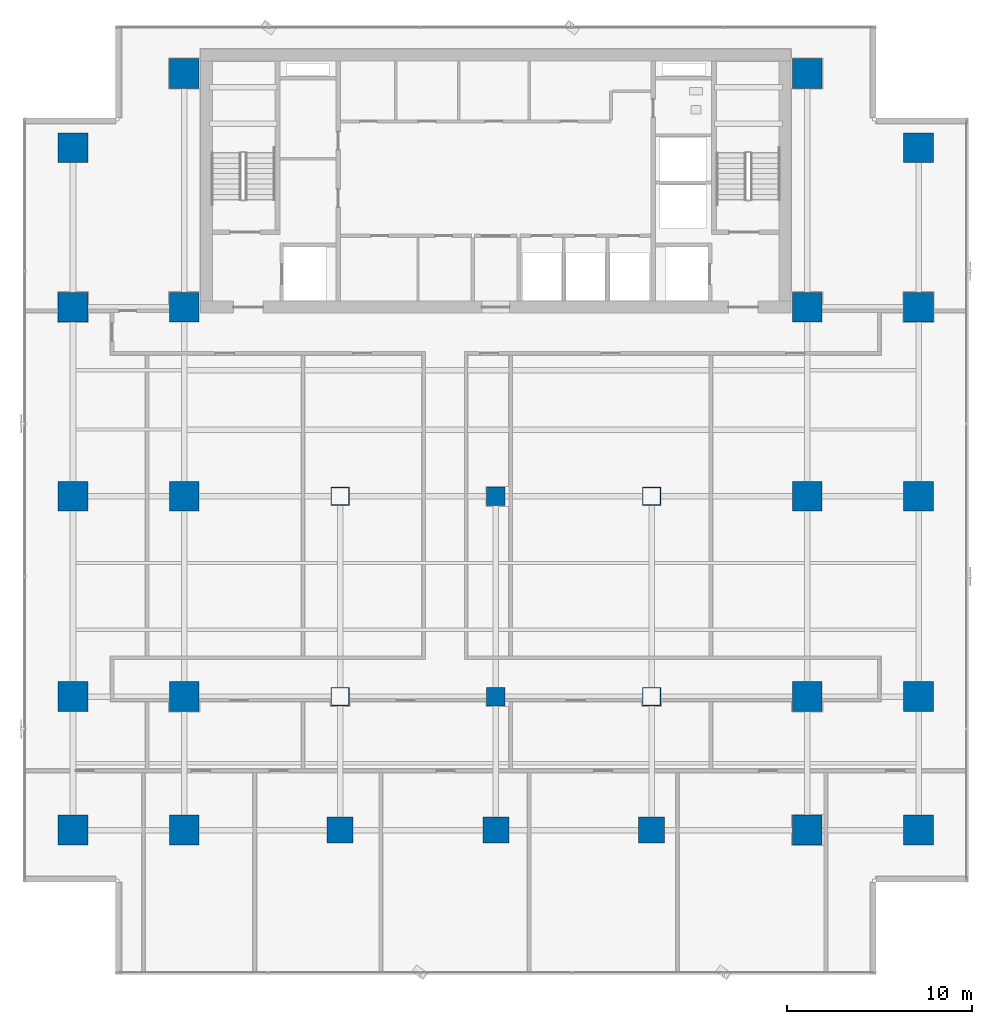
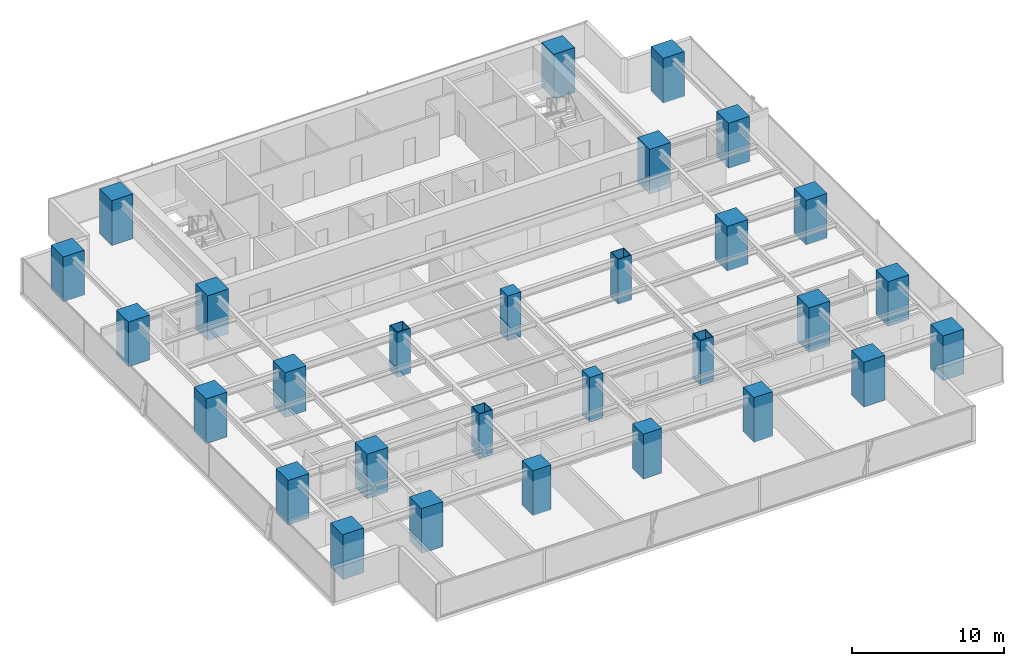
# One storey, part 1 of 37: 29 columns.
"""IFC4 building model written with IfcOpenShell, lengths in metres."""

from ifc_helpers import new_model, si_unit, direction, frame, origin, origin_2d, place, context, subcontext, project, spatial, rectangle, hollow_rectangle, extrude, source, transform, mapped, material, material_profile, profile_set, type_object, element, save


model = new_model("IFC4")

# Units and contexts
model_context = context("Model", 3, precision=1e-05, world=origin(), true_north=direction((0.0, 1.0)))
body_context = subcontext(model_context, "Body", "Model", "MODEL_VIEW")
ifc_project = project(units=[si_unit("LENGTHUNIT", "METRE"), si_unit("AREAUNIT", "SQUARE_METRE"), si_unit("VOLUMEUNIT", "CUBIC_METRE"), si_unit("PLANEANGLEUNIT", "RADIAN"), si_unit("MASSUNIT", "GRAM", prefix="KILO")], contexts=[model_context])

# Site, building, storey
site_placement = place(None, origin())
site = spatial("IfcSite", under=ifc_project, at=site_placement, CompositionType="ELEMENT")
building_placement = place(site_placement, origin())
building = spatial("IfcBuilding", under=site, at=building_placement, Name="Sumidabori Civic Tower", CompositionType="ELEMENT")
storey_placement = place(building_placement, frame((0.0, 0.0, 117.199951171875)))
storey = spatial("IfcBuildingStorey", under=building, at=storey_placement, Name="L30", CompositionType="ELEMENT", Elevation=117.199951171875)

# Columns
ifc_material_1 = material(Name="Concrete C60/75", Category="concrete")
ifc_material_profile_1 = material_profile(ifc_material_1, rectangle(XDim=1.60009765625, YDim=1.60009765625, at=origin_2d()), Name="RC 1600x1600")
ifc_profile_set_1 = profile_set([ifc_material_profile_1], Name="Concrete C60/75")
column_type_1 = type_object("IfcColumnType", Name="CL-MEGA-1600", PredefinedType="COLUMN", material=ifc_profile_set_1)
shared_shape_1 = source(origin(), body_context, "Body", "SweptSolid", [
    extrude(rectangle(XDim=1.60009765625, YDim=1.60009765625, at=origin_2d()), origin(), (0.0, 0.0, 1.0), 3.60009765625),
])
for number, where, z_axis, x_axis, name in (
    (1, (-16.800048828125, -18.0, 0.0), (0.0, 0.0, 1.0), (1.0, 0.0, 0.0), "Column MC-W16-Y18S L30"),
    (2, (-16.800048828125, -10.800048828125, 0.0), (0.0, 0.0, 1.0), (1.0, 0.0, 0.0), "Column MC-W16-Y11S L30"),
    (3, (-16.800048828125, 0.0, 0.0), (0.0, 0.0, 1.0), (1.0, 0.0, 0.0), "Column MC-W16-Y00 L30"),
    (4, (-16.800048828125, 10.199951171875, 0.0), (0.0, 0.0, 1.0), (1.0, 0.0, 0.0), "Column MC-W16-Y10N L30"),
    (5, (-16.800048828125, 22.800048828125, 0.0), (0.0, 0.0, 1.0), (1.0, 0.0, 0.0), "Column MC-W16-Y23N L30"),
    (6, (16.800048828125, -18.0, 0.0), (0.0, 0.0, 1.0), (1.0, 0.0, 0.0), "Column MC-E16-Y18S L30"),
    (7, (16.800048828125, -10.800048828125, 0.0), (0.0, 0.0, 1.0), (1.0, 0.0, 0.0), "Column MC-E16-Y11S L30"),
    (8, (16.800048828125, 0.0, 0.0), (0.0, 0.0, 1.0), (1.0, 0.0, 0.0), "Column MC-E16-Y00 L30"),
    (9, (16.800048828125, 10.199951171875, 0.0), (0.0, 0.0, 1.0), (1.0, 0.0, 0.0), "Column MC-E16-Y10N L30"),
    (10, (16.800048828125, 22.800048828125, 0.0), (0.0, 0.0, 1.0), (1.0, 0.0, 0.0), "Column MC-E16-Y23N L30"),
    (11, (-22.800048828125, -18.0, 0.0), (0.0, 0.0, 1.0), (1.0, 0.0, 0.0), "Column MC-W23-Y18S L30"),
    (12, (-22.800048828125, -10.800048828125, 0.0), (0.0, 0.0, 1.0), (1.0, 0.0, 0.0), "Column MC-W23-Y11S L30"),
    (13, (-22.800048828125, 0.0, 0.0), (0.0, 0.0, 1.0), (1.0, 0.0, 0.0), "Column MC-W23-Y00 L30"),
    (14, (-22.800048828125, 10.199951171875, 0.0), (0.0, 0.0, 1.0), (1.0, 0.0, 0.0), "Column MC-W23-Y10N L30"),
    (15, (-22.800048828125, 18.800048828125, 0.0), (0.0, 0.0, 1.0), (1.0, 0.0, 0.0), "Column MC-W23-Y19N L30"),
    (16, (22.800048828125, -18.0, 0.0), (0.0, 0.0, 1.0), (1.0, 0.0, 0.0), "Column MC-E23-Y18S L30"),
    (17, (22.800048828125, -10.800048828125, 0.0), (0.0, 0.0, 1.0), (1.0, 0.0, 0.0), "Column MC-E23-Y11S L30"),
    (18, (22.800048828125, 0.0, 0.0), (0.0, 0.0, 1.0), (1.0, 0.0, 0.0), "Column MC-E23-Y00 L30"),
    (19, (22.800048828125, 10.199951171875, 0.0), (0.0, 0.0, 1.0), (1.0, 0.0, 0.0), "Column MC-E23-Y10N L30"),
    (20, (22.800048828125, 18.800048828125, 0.0), (0.0, 0.0, 1.0), (1.0, 0.0, 0.0), "Column MC-E23-Y19N L30"),
):
    element("IfcColumn", number, at=place(storey_placement, frame(where, z_axis=z_axis, x_axis=x_axis)), inside=storey, type_object=column_type_1, Name=name, PredefinedType="COLUMN", context=body_context, shape_type="MappedRepresentation", body=[
        mapped(shared_shape_1, transform((0.0, 0.0, 0.0), x_axis=(1.0, 0.0, 0.0), y_axis=(0.0, 1.0, 0.0), z_axis=(0.0, 0.0, 1.0), scale=1.0)),
    ])
ifc_material_2 = material(Name="Steel SM570", Category="steel")
ifc_material_profile_2 = material_profile(ifc_material_2, hollow_rectangle(XDim=1.0, YDim=1.0, WallThickness=0.044921875, at=origin_2d()), Name="SHS 1000x1000x45")
ifc_profile_set_2 = profile_set([ifc_material_profile_2], Name="Steel SM570")
column_type_2 = type_object("IfcColumnType", Name="CL-PORTAL-SHS1000", PredefinedType="COLUMN", material=ifc_profile_set_2)
shared_shape_2 = source(origin(), body_context, "Body", "SweptSolid", [
    extrude(hollow_rectangle(XDim=1.0, YDim=1.0, WallThickness=0.044921875, at=origin_2d()), origin(), (0.0, 0.0, 1.0), 3.60009765625),
])
for number, where, z_axis, x_axis, name in (
    (21, (-8.39990234375, 0.0, 0.0), (0.0, 0.0, 1.0), (1.0, 0.0, 0.0), "Column MC-W08-Y00 L30"),
    (22, (-8.39990234375, -10.800048828125, 0.0), (0.0, 0.0, 1.0), (1.0, 0.0, 0.0), "Column MC-W08-Y11S L30"),
    (23, (8.39990234375, 0.0, 0.0), (0.0, 0.0, 1.0), (1.0, 0.0, 0.0), "Column MC-E08-Y00 L30"),
    (24, (8.39990234375, -10.800048828125, 0.0), (0.0, 0.0, 1.0), (1.0, 0.0, 0.0), "Column MC-E08-Y11S L30"),
):
    element("IfcColumn", number, at=place(storey_placement, frame(where, z_axis=z_axis, x_axis=x_axis)), inside=storey, type_object=column_type_2, Name=name, PredefinedType="COLUMN", context=body_context, shape_type="MappedRepresentation", body=[
        mapped(shared_shape_2, transform((0.0, 0.0, 0.0), x_axis=(1.0, 0.0, 0.0), y_axis=(0.0, 1.0, 0.0), z_axis=(0.0, 0.0, 1.0), scale=1.0)),
    ])
ifc_material_profile_3 = material_profile(ifc_material_1, rectangle(XDim=1.39990234375, YDim=1.39990234375, at=origin_2d()), Name="RC 1400x1400")
ifc_profile_set_3 = profile_set([ifc_material_profile_3], Name="Concrete C60/75")
column_type_3 = type_object("IfcColumnType", Name="CL-MEGA-1400", PredefinedType="COLUMN", material=ifc_profile_set_3)
shared_shape_3 = source(origin(), body_context, "Body", "SweptSolid", [
    extrude(rectangle(XDim=1.39990234375, YDim=1.39990234375, at=origin_2d()), origin(), (0.0, 0.0, 1.0), 3.60009765625),
])
for number, where, z_axis, x_axis, name in (
    (25, (-8.39990234375, -18.0, 0.0), (0.0, 0.0, 1.0), (1.0, 0.0, 0.0), "Column MC-W08-Y18S L30"),
    (26, (8.39990234375, -18.0, 0.0), (0.0, 0.0, 1.0), (1.0, 0.0, 0.0), "Column MC-E08-Y18S L30"),
    (27, (0.0, -18.0, 0.0), (0.0, 0.0, 1.0), (1.0, 0.0, 0.0), "Column MC-C00-Y18S L30"),
):
    element("IfcColumn", number, at=place(storey_placement, frame(where, z_axis=z_axis, x_axis=x_axis)), inside=storey, type_object=column_type_3, Name=name, PredefinedType="COLUMN", context=body_context, shape_type="MappedRepresentation", body=[
        mapped(shared_shape_3, transform((0.0, 0.0, 0.0), x_axis=(1.0, 0.0, 0.0), y_axis=(0.0, 1.0, 0.0), z_axis=(0.0, 0.0, 1.0), scale=1.0)),
    ])
ifc_material_3 = material(Name="Concrete C50/60", Category="concrete")
ifc_material_profile_4 = material_profile(ifc_material_3, rectangle(XDim=1.0, YDim=1.0, at=origin_2d()), Name="RC 1000x1000")
ifc_profile_set_4 = profile_set([ifc_material_profile_4], Name="Concrete C50/60")
column_type_4 = type_object("IfcColumnType", Name="CL-INT-1000", PredefinedType="COLUMN", material=ifc_profile_set_4)
shared_shape_4 = source(origin(), body_context, "Body", "SweptSolid", [
    extrude(rectangle(XDim=1.0, YDim=1.0, at=origin_2d()), origin(), (0.0, 0.0, 1.0), 3.60009765625),
])
for number, where, z_axis, x_axis, name in (
    (28, (0.0, -10.800048828125, 0.0), (0.0, 0.0, 1.0), (1.0, 0.0, 0.0), "Column MC-C00-Y11S L30"),
    (29, (0.0, 0.0, 0.0), (0.0, 0.0, 1.0), (1.0, 0.0, 0.0), "Column MC-C00-Y00 L30"),
):
    element("IfcColumn", number, at=place(storey_placement, frame(where, z_axis=z_axis, x_axis=x_axis)), inside=storey, type_object=column_type_4, Name=name, PredefinedType="COLUMN", context=body_context, shape_type="MappedRepresentation", body=[
        mapped(shared_shape_4, transform((0.0, 0.0, 0.0), x_axis=(1.0, 0.0, 0.0), y_axis=(0.0, 1.0, 0.0), z_axis=(0.0, 0.0, 1.0), scale=1.0)),
    ])

save(model, "model.ifc")
